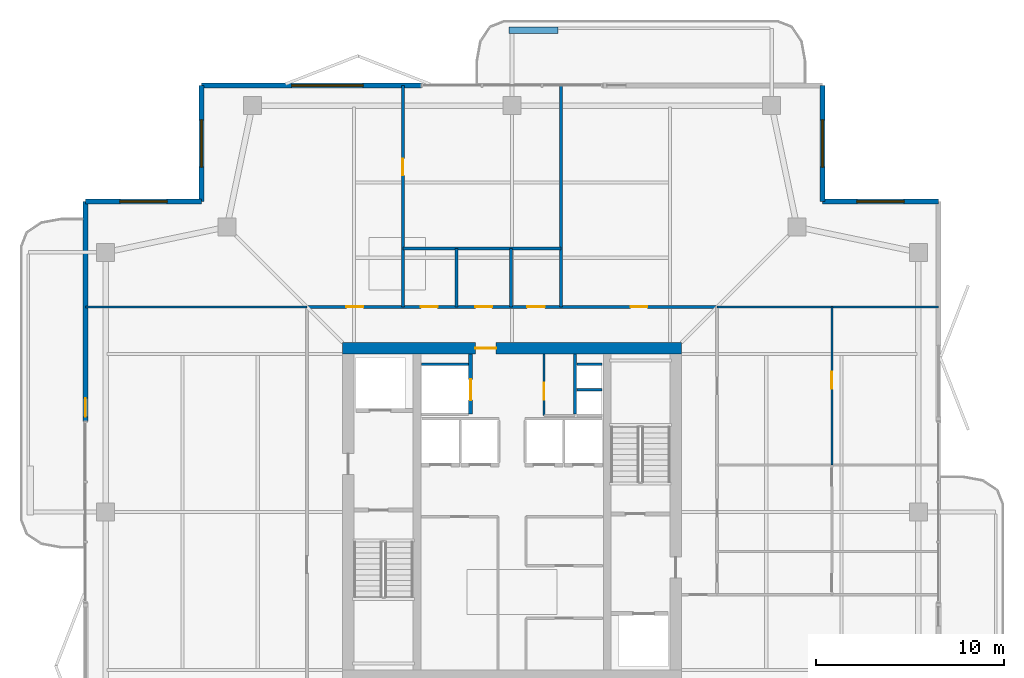
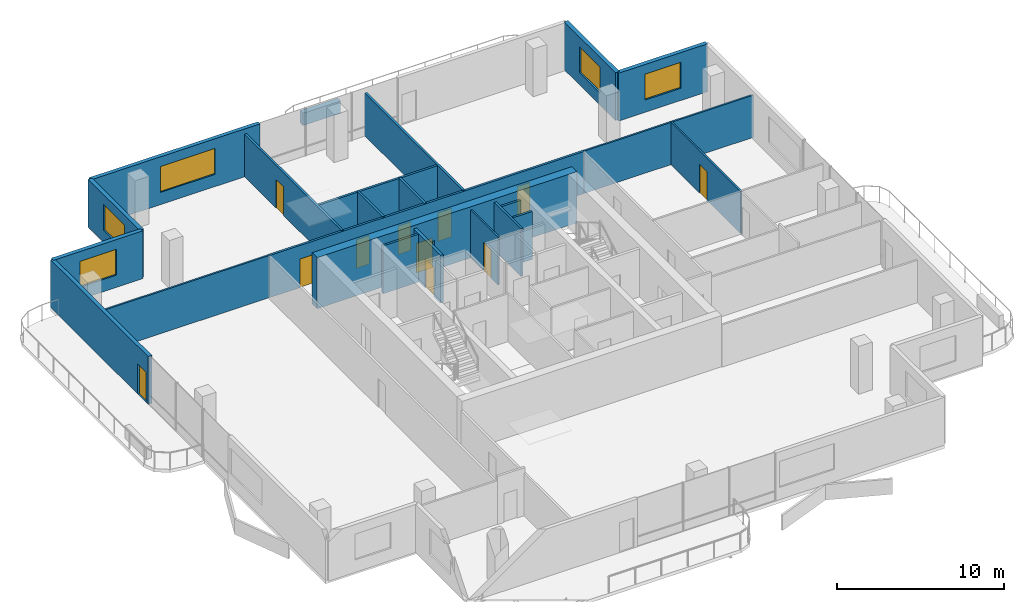
# One storey, part 14 of 17: 23 walls, 11 doors, 5 windows, 16 openings.
"""IFC4 building model written with IfcOpenShell, lengths in metres."""

from ifc_helpers import new_model, si_unit, direction, frame, frame_2d, origin, place, context, subcontext, project, spatial, rectangle, extrude, material, layer, layer_set, type_object, element, fill, save


model = new_model("IFC4")

# Units and contexts
model_context = context("Model", 3, precision=1e-05, world=origin(), true_north=direction((0.0, 1.0)))
body_context = subcontext(model_context, "Body", "Model", "MODEL_VIEW")
ifc_project = project(units=[si_unit("LENGTHUNIT", "METRE"), si_unit("AREAUNIT", "SQUARE_METRE"), si_unit("VOLUMEUNIT", "CUBIC_METRE"), si_unit("PLANEANGLEUNIT", "RADIAN"), si_unit("MASSUNIT", "GRAM", prefix="KILO")], contexts=[model_context])

# Site, building, storey
site_placement = place(None, origin())
site = spatial("IfcSite", under=ifc_project, at=site_placement, CompositionType="ELEMENT")
building_placement = place(site_placement, origin())
building = spatial("IfcBuilding", under=site, at=building_placement, Name="Belovzor Exchange Tower", CompositionType="ELEMENT")
storey_placement = place(building_placement, frame((0.0, 0.0, 303.0)))
storey = spatial("IfcBuildingStorey", under=building, at=storey_placement, Name="L75", CompositionType="ELEMENT", Elevation=303.0)

# Wall, opening, door
ifc_material_1 = material(Name="Acoustic Plasterboard on Galvanised Studs", Category="gypsum")
ifc_layer_1 = layer(ifc_material_1, 0.1201171875)
ifc_layer_set_1 = layer_set([ifc_layer_1], Name="Acoustic Plasterboard on Galvanised Studs")
wall_type_1 = type_object("IfcWallType", Name="Acoustic Double-Stud Partition Wall 120", PredefinedType="PARTITIONING", material=ifc_layer_set_1)
wall_1_placement = place(storey_placement, frame((45.802978515625, 31.294921875, 0.0), z_axis=(0.0, 0.0, 1.0), x_axis=(0.0, 1.0, 0.0)))
wall_1 = element("IfcWall", 1, at=wall_1_placement, inside=storey, type_object=wall_type_1, Name="W-P120 Partition Wall W-L75-EHDIV-2", PredefinedType="PARTITIONING", context=body_context, shape_type="SweptSolid", body=[
    extrude(rectangle(XDim=8.405029296875, YDim=0.1201171875, at=frame_2d((4.20263671875, 0.0))), origin(), (0.0, 0.0, 1.0), 3.094970703125),
])
opening_1_placement = place(wall_1_placement, frame((4.049072265625, 0.0, 0.0)))
opening_1 = element("IfcOpeningElement", 2, at=opening_1_placement, cuts=wall_1, Name="Opening D-INT-090", PredefinedType="OPENING", context=body_context, shape_type="SweptSolid", body=[
    extrude(rectangle(XDim=0.89990234375, YDim=2.10009765625, at=frame_2d((0.449951171875, 1.050048828125))), frame((0.0, 0.070068359375, 0.0), z_axis=(0.0, -1.0, 0.0), x_axis=(1.0, 0.0, 0.0)), (0.0, 0.0, 1.0), 0.14013671875),
])
ifc_material_2 = material(Name="Veneered Hardwood Acoustic Leaf", Category="wood")
door_type_1 = type_object("IfcDoorType", Name="Trading Suite Acoustic Single Door 900x2100", OperationType="NOTDEFINED", PredefinedType="DOOR", material=ifc_material_2)
door_1_placement = place(opening_1_placement, origin())
door_1 = element("IfcDoor", 3, at=door_1_placement, inside=storey, type_object=door_type_1, Name="D-INT-090 Trading Suite Acoustic Single Door 900x2100", OperationType="SINGLE_SWING_RIGHT", OverallHeight=2.10009765625, OverallWidth=0.89990234375, PredefinedType="DOOR", context=body_context, shape_type="SweptSolid", body=[
    extrude(rectangle(XDim=0.89990234375, YDim=2.10009765625, at=frame_2d((0.449951171875, 1.050048828125))), frame((0.0, 0.02490234375, 0.0), z_axis=(0.0, -1.0, 0.0), x_axis=(1.0, 0.0, 0.0)), (0.0, 0.0, 1.0), 0.050048828125),
])
fill(opening_1, door_1)

# Walls
for number, where, z_axis, x_axis, name in (
    (4, (6.1298828125, 39.699951171875, 0.0), (0.0, 0.0, 1.0), (1.0, 0.0, 0.0), "W-P120 Partition Wall W-L75-END-NW"),
    (5, (39.699951171875, 39.699951171875, 0.0), (0.0, 0.0, 1.0), (1.0, 0.0, 0.0), "W-P120 Partition Wall W-L75-END-NE"),
):
    element("IfcWall", number, at=place(storey_placement, frame(where, z_axis=z_axis, x_axis=x_axis)), inside=storey, type_object=wall_type_1, Name=name, PredefinedType="PARTITIONING", context=body_context, shape_type="SweptSolid", body=[
        extrude(rectangle(XDim=11.77001953125, YDim=0.1201171875, at=frame_2d((5.885009765625, 0.0))), origin(), (0.0, 0.0, 1.0), 3.094970703125),
    ])

# Wall, opening, door
ifc_material_3 = material(Name="Fire-Rated Plasterboard on Galvanised Studs", Category="gypsum")
ifc_layer_2 = layer(ifc_material_3, 0.1201171875)
ifc_layer_set_2 = layer_set([ifc_layer_2], Name="Fire-Rated Plasterboard on Galvanised Studs")
wall_type_2 = type_object("IfcWallType", Name="Fire-Rated Double-Stud Partition Wall 120", PredefinedType="PARTITIONING", material=ifc_layer_set_2)
wall_2_placement = place(storey_placement, frame((30.5, 33.925048828125, 0.0), z_axis=(0.0, 0.0, 1.0), x_axis=(0.0, 1.0, 0.0)))
wall_2 = element("IfcWall", 6, at=wall_2_placement, inside=storey, type_object=wall_type_2, Name="W-P120F Partition Wall W-CRV-L75-W", PredefinedType="PARTITIONING", context=body_context, shape_type="SweptSolid", body=[
    extrude(rectangle(XDim=3.27490234375, YDim=0.1201171875, at=frame_2d((1.637451171875, 0.0))), origin(), (0.0, 0.0, 1.0), 3.510009765625),
])
opening_2_placement = place(wall_2_placement, frame((0.85009765625, 0.0, 0.0)))
opening_2 = element("IfcOpeningElement", 7, at=opening_2_placement, cuts=wall_2, Name="Opening D-FD60-090", PredefinedType="OPENING", context=body_context, shape_type="SweptSolid", body=[
    extrude(rectangle(XDim=0.89990234375, YDim=2.10009765625, at=frame_2d((0.449951171875, 1.050048828125))), frame((0.0, 0.070068359375, 0.0), z_axis=(0.0, -1.0, 0.0), x_axis=(1.0, 0.0, 0.0)), (0.0, 0.0, 1.0), 0.14013671875),
])
ifc_material_4 = material(Name="Acoustic Timber Fire Leaf", Category="wood")
door_type_2 = type_object("IfcDoorType", Name="Core Service & Restroom Fire Door 900x2100", OperationType="NOTDEFINED", PredefinedType="DOOR", material=ifc_material_4)
door_2_placement = place(opening_2_placement, origin())
door_2 = element("IfcDoor", 8, at=door_2_placement, inside=storey, type_object=door_type_2, Name="D-FD60-090 Core Service & Restroom Fire Door 900x2100", OperationType="SINGLE_SWING_LEFT", OverallHeight=2.10009765625, OverallWidth=0.89990234375, PredefinedType="DOOR", context=body_context, shape_type="SweptSolid", body=[
    extrude(rectangle(XDim=0.89990234375, YDim=2.10009765625, at=frame_2d((0.449951171875, 1.050048828125))), frame((0.0, 0.02490234375, 0.0), z_axis=(0.0, -1.0, 0.0), x_axis=(1.0, 0.0, 0.0)), (0.0, 0.0, 1.0), 0.050048828125),
])
fill(opening_2, door_2)

# Wall
ifc_material_5 = material(Name="Fire-Rated Gypsum Block and Mineral Wool", Category="gypsum")
ifc_layer_3 = layer(ifc_material_5, 0.14990234375)
ifc_layer_set_3 = layer_set([ifc_layer_3], Name="Fire-Rated Gypsum Block and Mineral Wool")
wall_type_3 = type_object("IfcWallType", Name="Fire-Rated Gypsum Block Corridor Wall 150", PredefinedType="PARTITIONING", material=ifc_layer_set_3)
wall_3_placement = place(storey_placement, frame((23.0, 42.800048828125, 0.0), z_axis=(0.0, 0.0, 1.0), x_axis=(1.0, 0.0, 0.0)))
element("IfcWall", 9, at=wall_3_placement, inside=storey, type_object=wall_type_3, Name="W-P150 Partition Wall W-L75-WCN", PredefinedType="PARTITIONING", context=body_context, shape_type="SweptSolid", body=[
    extrude(rectangle(XDim=8.39990234375, YDim=0.14990234375, at=frame_2d((4.199951171875, 0.0))), origin(), (0.0, 0.0, 1.0), 3.094970703125),
])

# Wall, opening, door
wall_4_placement = place(storey_placement, frame((23.0, 39.699951171875, 0.0), z_axis=(0.0, 0.0, 1.0), x_axis=(0.0, 1.0, 0.0)))
wall_4 = element("IfcWall", 10, at=wall_4_placement, inside=storey, type_object=wall_type_3, Name="W-P150 Partition Wall W-L75-WCW", PredefinedType="PARTITIONING", context=body_context, shape_type="SweptSolid", body=[
    extrude(rectangle(XDim=11.77001953125, YDim=0.14990234375, at=frame_2d((5.885009765625, 0.0))), origin(), (0.0, 0.0, 1.0), 3.135009765625),
])
opening_3_placement = place(wall_4_placement, frame((6.985107421875, 0.0, 0.0)))
opening_3 = element("IfcOpeningElement", 11, at=opening_3_placement, cuts=wall_4, Name="Opening D-INT-090", PredefinedType="OPENING", context=body_context, shape_type="SweptSolid", body=[
    extrude(rectangle(XDim=0.89990234375, YDim=2.10009765625, at=frame_2d((0.449951171875, 1.050048828125))), frame((0.0, 0.0849609375, 0.0), z_axis=(0.0, -1.0, 0.0), x_axis=(1.0, 0.0, 0.0)), (0.0, 0.0, 1.0), 0.169921875),
])
door_3_placement = place(opening_3_placement, origin())
door_3 = element("IfcDoor", 12, at=door_3_placement, inside=storey, type_object=door_type_1, Name="D-INT-090 Trading Suite Acoustic Single Door 900x2100", OperationType="SINGLE_SWING_LEFT", OverallHeight=2.10009765625, OverallWidth=0.89990234375, PredefinedType="DOOR", context=body_context, shape_type="SweptSolid", body=[
    extrude(rectangle(XDim=0.89990234375, YDim=2.10009765625, at=frame_2d((0.449951171875, 1.050048828125))), frame((0.0, 0.02490234375, 0.0), z_axis=(0.0, -1.0, 0.0), x_axis=(1.0, 0.0, 0.0)), (0.0, 0.0, 1.0), 0.050048828125),
])
fill(opening_3, door_3)

# Walls
wall_5_placement = place(storey_placement, frame((31.39990234375, 39.699951171875, 0.0), z_axis=(0.0, 0.0, 1.0), x_axis=(0.0, 1.0, 0.0)))
element("IfcWall", 13, at=wall_5_placement, inside=storey, type_object=wall_type_3, Name="W-P150 Partition Wall W-L75-WCE", PredefinedType="PARTITIONING", context=body_context, shape_type="SweptSolid", body=[
    extrude(rectangle(XDim=11.77001953125, YDim=0.14990234375, at=frame_2d((5.885009765625, 0.0))), origin(), (0.0, 0.0, 1.0), 3.135009765625),
])
wall_6_placement = place(storey_placement, frame((25.85009765625, 39.699951171875, 0.0), z_axis=(0.0, 0.0, 1.0), x_axis=(0.0, 1.0, 0.0)))
element("IfcWall", 14, at=wall_6_placement, inside=storey, type_object=wall_type_3, Name="W-P150 Partition Wall W-L75-WCD1", PredefinedType="PARTITIONING", context=body_context, shape_type="SweptSolid", body=[
    extrude(rectangle(XDim=3.10009765625, YDim=0.14990234375, at=frame_2d((1.550048828125, 0.0))), origin(), (0.0, 0.0, 1.0), 3.135009765625),
])
wall_7_placement = place(storey_placement, frame((28.75, 39.699951171875, 0.0), z_axis=(0.0, 0.0, 1.0), x_axis=(0.0, 1.0, 0.0)))
element("IfcWall", 15, at=wall_7_placement, inside=storey, type_object=wall_type_3, Name="W-P150 Partition Wall W-L75-WCD2", PredefinedType="PARTITIONING", context=body_context, shape_type="SweptSolid", body=[
    extrude(rectangle(XDim=3.10009765625, YDim=0.14990234375, at=frame_2d((1.550048828125, 0.0))), origin(), (0.0, 0.0, 1.0), 3.094970703125),
])

# Wall, openings, doors
wall_8_placement = place(storey_placement, frame((17.89990234375, 39.699951171875, 0.0), z_axis=(0.0, 0.0, 1.0), x_axis=(1.0, 0.0, 0.0)))
wall_8 = element("IfcWall", 16, at=wall_8_placement, inside=storey, type_object=wall_type_3, Name="W-P150 Partition Wall W-L75-CN", PredefinedType="PARTITIONING", context=body_context, shape_type="SweptSolid", body=[
    extrude(rectangle(XDim=21.800048828125, YDim=0.14990234375, at=frame_2d((10.89990234375, 0.0))), origin(), (0.0, 0.0, 1.0), 3.094970703125),
])
opening_4_placement = place(wall_8_placement, frame((2.10009765625, 0.0, 0.0)))
opening_4 = element("IfcOpeningElement", 17, at=opening_4_placement, cuts=wall_8, Name="Opening D-INT-090", PredefinedType="OPENING", context=body_context, shape_type="SweptSolid", body=[
    extrude(rectangle(XDim=0.89990234375, YDim=2.10009765625, at=frame_2d((0.449951171875, 1.050048828125))), frame((0.0, 0.0849609375, 0.0), z_axis=(0.0, -1.0, 0.0), x_axis=(1.0, 0.0, 0.0)), (0.0, 0.0, 1.0), 0.169921875),
])
opening_5_placement = place(wall_8_placement, frame((6.050048828125, 0.0, 0.0)))
opening_5 = element("IfcOpeningElement", 18, at=opening_5_placement, cuts=wall_8, Name="Opening D-FD60-090", PredefinedType="OPENING", context=body_context, shape_type="SweptSolid", body=[
    extrude(rectangle(XDim=0.89990234375, YDim=2.10009765625, at=frame_2d((0.449951171875, 1.050048828125))), frame((0.0, 0.0849609375, 0.0), z_axis=(0.0, -1.0, 0.0), x_axis=(1.0, 0.0, 0.0)), (0.0, 0.0, 1.0), 0.169921875),
])
opening_6_placement = place(wall_8_placement, frame((8.949951171875, 0.0, 0.0)))
opening_6 = element("IfcOpeningElement", 19, at=opening_6_placement, cuts=wall_8, Name="Opening D-FD60-090", PredefinedType="OPENING", context=body_context, shape_type="SweptSolid", body=[
    extrude(rectangle(XDim=0.89990234375, YDim=2.10009765625, at=frame_2d((0.449951171875, 1.050048828125))), frame((0.0, 0.0849609375, 0.0), z_axis=(0.0, -1.0, 0.0), x_axis=(1.0, 0.0, 0.0)), (0.0, 0.0, 1.0), 0.169921875),
])
opening_7_placement = place(wall_8_placement, frame((11.699951171875, 0.0, 0.0)))
opening_7 = element("IfcOpeningElement", 20, at=opening_7_placement, cuts=wall_8, Name="Opening D-FD60-095", PredefinedType="OPENING", context=body_context, shape_type="SweptSolid", body=[
    extrude(rectangle(XDim=0.949951171875, YDim=2.10009765625, at=frame_2d((0.47509765625, 1.050048828125))), frame((0.0, 0.0849609375, 0.0), z_axis=(0.0, -1.0, 0.0), x_axis=(1.0, 0.0, 0.0)), (0.0, 0.0, 1.0), 0.169921875),
])
opening_8_placement = place(wall_8_placement, frame((17.199951171875, 0.0, 0.0)))
opening_8 = element("IfcOpeningElement", 21, at=opening_8_placement, cuts=wall_8, Name="Opening D-INT-090", PredefinedType="OPENING", context=body_context, shape_type="SweptSolid", body=[
    extrude(rectangle(XDim=0.89990234375, YDim=2.10009765625, at=frame_2d((0.449951171875, 1.050048828125))), frame((0.0, 0.0849609375, 0.0), z_axis=(0.0, -1.0, 0.0), x_axis=(1.0, 0.0, 0.0)), (0.0, 0.0, 1.0), 0.169921875),
])
ifc_material_6 = material(Name="Moisture-Resistant Timber Fire Leaf", Category="wood")
door_type_3 = type_object("IfcDoorType", Name="Accessible Restroom Wide Fire Door 950x2100", OperationType="NOTDEFINED", PredefinedType="DOOR", material=ifc_material_6)
door_4_placement = place(opening_7_placement, origin())
door_4 = element("IfcDoor", 22, at=door_4_placement, inside=storey, type_object=door_type_3, Name="D-FD60-095 Accessible Restroom Wide Fire Door 950x2100", OperationType="SINGLE_SWING_LEFT", OverallHeight=2.10009765625, OverallWidth=0.949951171875, PredefinedType="DOOR", context=body_context, shape_type="SweptSolid", body=[
    extrude(rectangle(XDim=0.949951171875, YDim=2.10009765625, at=frame_2d((0.47509765625, 1.050048828125))), frame((0.0, 0.02490234375, 0.0), z_axis=(0.0, -1.0, 0.0), x_axis=(1.0, 0.0, 0.0)), (0.0, 0.0, 1.0), 0.050048828125),
])
fill(opening_7, door_4)
door_5_placement = place(opening_5_placement, origin())
door_5 = element("IfcDoor", 23, at=door_5_placement, inside=storey, type_object=door_type_2, Name="D-FD60-090 Core Service & Restroom Fire Door 900x2100", OperationType="SINGLE_SWING_LEFT", OverallHeight=2.10009765625, OverallWidth=0.89990234375, PredefinedType="DOOR", context=body_context, shape_type="SweptSolid", body=[
    extrude(rectangle(XDim=0.89990234375, YDim=2.10009765625, at=frame_2d((0.449951171875, 1.050048828125))), frame((0.0, 0.02490234375, 0.0), z_axis=(0.0, -1.0, 0.0), x_axis=(1.0, 0.0, 0.0)), (0.0, 0.0, 1.0), 0.050048828125),
])
fill(opening_5, door_5)
door_6_placement = place(opening_6_placement, origin())
door_6 = element("IfcDoor", 24, at=door_6_placement, inside=storey, type_object=door_type_2, Name="D-FD60-090 Core Service & Restroom Fire Door 900x2100", OperationType="SINGLE_SWING_RIGHT", OverallHeight=2.10009765625, OverallWidth=0.89990234375, PredefinedType="DOOR", context=body_context, shape_type="SweptSolid", body=[
    extrude(rectangle(XDim=0.89990234375, YDim=2.10009765625, at=frame_2d((0.449951171875, 1.050048828125))), frame((0.0, 0.02490234375, 0.0), z_axis=(0.0, -1.0, 0.0), x_axis=(1.0, 0.0, 0.0)), (0.0, 0.0, 1.0), 0.050048828125),
])
fill(opening_6, door_6)
door_7_placement = place(opening_4_placement, origin())
door_7 = element("IfcDoor", 25, at=door_7_placement, inside=storey, type_object=door_type_1, Name="D-INT-090 Trading Suite Acoustic Single Door 900x2100", OperationType="SINGLE_SWING_LEFT", OverallHeight=2.10009765625, OverallWidth=0.89990234375, PredefinedType="DOOR", context=body_context, shape_type="SweptSolid", body=[
    extrude(rectangle(XDim=0.89990234375, YDim=2.10009765625, at=frame_2d((0.449951171875, 1.050048828125))), frame((0.0, 0.02490234375, 0.0), z_axis=(0.0, -1.0, 0.0), x_axis=(1.0, 0.0, 0.0)), (0.0, 0.0, 1.0), 0.050048828125),
])
fill(opening_4, door_7)
door_8_placement = place(opening_8_placement, origin())
door_8 = element("IfcDoor", 26, at=door_8_placement, inside=storey, type_object=door_type_1, Name="D-INT-090 Trading Suite Acoustic Single Door 900x2100", OperationType="SINGLE_SWING_RIGHT", OverallHeight=2.10009765625, OverallWidth=0.89990234375, PredefinedType="DOOR", context=body_context, shape_type="SweptSolid", body=[
    extrude(rectangle(XDim=0.89990234375, YDim=2.10009765625, at=frame_2d((0.449951171875, 1.050048828125))), frame((0.0, 0.02490234375, 0.0), z_axis=(0.0, -1.0, 0.0), x_axis=(1.0, 0.0, 0.0)), (0.0, 0.0, 1.0), 0.050048828125),
])
fill(opening_8, door_8)

# Wall, opening, window
ifc_material_7 = material(Name="Precast concrete C40/50", Category="concrete")
ifc_layer_4 = layer(ifc_material_7, 0.280029296875)
ifc_layer_set_4 = layer_set([ifc_layer_4], Name="Precast concrete C40/50")
wall_type_4 = type_object("IfcWallType", Name="Precast Concrete Notched Corner Frame Wall 280", PredefinedType="SOLIDWALL", material=ifc_layer_set_4)
wall_9_placement = place(storey_placement, frame((6.1298828125, 45.300048828125, 0.0), z_axis=(0.0, 0.0, 1.0), x_axis=(1.0, 0.0, 0.0)))
wall_9 = element("IfcWall", 27, at=wall_9_placement, inside=storey, type_object=wall_type_4, Name="W-CRN280 Precast Concrete Notched Corner Frame Wall 280 L75", PredefinedType="SOLIDWALL", context=body_context, shape_type="SweptSolid", body=[
    extrude(rectangle(XDim=6.170166015625, YDim=0.280029296875, at=frame_2d((3.0849609375, 0.0))), origin(), (0.0, 0.0, 1.0), 3.510009765625),
])
opening_9_placement = place(wall_9_placement, frame((1.8349609375, 0.0, 0.89990234375)))
opening_9 = element("IfcOpeningElement", 28, at=opening_9_placement, cuts=wall_9, Name="Opening WN-CRN250", PredefinedType="OPENING", context=body_context, shape_type="SweptSolid", body=[
    extrude(rectangle(XDim=2.5, YDim=1.89990234375, at=frame_2d((1.25, 0.949951171875))), frame((0.0, 0.14990234375, 0.0), z_axis=(0.0, -1.0, 0.0), x_axis=(1.0, 0.0, 0.0)), (0.0, 0.0, 1.0), 0.300048828125),
])
ifc_material_8 = material(Name="Thermally Broken Aluminium and Triple Glazing", Category="aluminium")
window_type_1 = type_object("IfcWindowType", Name="Streamline Moderne Corner Wrap Ribbon Window 2500x1900", PartitioningType="SINGLE_PANEL", PredefinedType="WINDOW", material=ifc_material_8)
window_1_placement = place(opening_9_placement, origin())
window_1 = element("IfcWindow", 29, at=window_1_placement, inside=storey, type_object=window_type_1, Name="WN-CRN250 Streamline Moderne Corner Wrap Ribbon Window 2500x1900", OverallHeight=1.89990234375, OverallWidth=2.5, PartitioningType="SINGLE_PANEL", PredefinedType="WINDOW", context=body_context, shape_type="SweptSolid", body=[
    extrude(rectangle(XDim=2.5, YDim=1.89990234375, at=frame_2d((1.25, 0.949951171875))), frame((0.0, 0.030029296875, 0.0), z_axis=(0.0, -1.0, 0.0), x_axis=(1.0, 0.0, 0.0)), (0.0, 0.0, 1.0), 0.06005859375),
])
fill(opening_9, window_1)

wall_10_placement = place(storey_placement, frame((12.300048828125, 45.300048828125, 0.0), z_axis=(0.0, 0.0, 1.0), x_axis=(0.0, 1.0, 0.0)))
wall_10 = element("IfcWall", 30, at=wall_10_placement, inside=storey, type_object=wall_type_4, Name="W-CRN280 Precast Concrete Notched Corner Frame Wall 280 L75", PredefinedType="SOLIDWALL", context=body_context, shape_type="SweptSolid", body=[
    extrude(rectangle(XDim=6.169921875, YDim=0.280029296875, at=frame_2d((3.0849609375, 0.0))), origin(), (0.0, 0.0, 1.0), 3.510009765625),
])
opening_10_placement = place(wall_10_placement, frame((1.8349609375, 0.0, 0.89990234375)))
opening_10 = element("IfcOpeningElement", 31, at=opening_10_placement, cuts=wall_10, Name="Opening WN-CRN250", PredefinedType="OPENING", context=body_context, shape_type="SweptSolid", body=[
    extrude(rectangle(XDim=2.5, YDim=1.89990234375, at=frame_2d((1.25, 0.949951171875))), frame((0.0, 0.14990234375, 0.0), z_axis=(0.0, -1.0, 0.0), x_axis=(1.0, 0.0, 0.0)), (0.0, 0.0, 1.0), 0.300048828125),
])
window_2_placement = place(opening_10_placement, origin())
window_2 = element("IfcWindow", 32, at=window_2_placement, inside=storey, type_object=window_type_1, Name="WN-CRN250 Streamline Moderne Corner Wrap Ribbon Window 2500x1900", OverallHeight=1.89990234375, OverallWidth=2.5, PartitioningType="SINGLE_PANEL", PredefinedType="WINDOW", context=body_context, shape_type="SweptSolid", body=[
    extrude(rectangle(XDim=2.5, YDim=1.89990234375, at=frame_2d((1.25, 0.949951171875))), frame((0.0, 0.030029296875, 0.0), z_axis=(0.0, -1.0, 0.0), x_axis=(1.0, 0.0, 0.0)), (0.0, 0.0, 1.0), 0.06005859375),
])
fill(opening_10, window_2)

wall_11_placement = place(storey_placement, frame((45.300048828125, 51.469970703125, 0.0), z_axis=(0.0, 0.0, 1.0), x_axis=(0.0, -1.0, 0.0)))
wall_11 = element("IfcWall", 33, at=wall_11_placement, inside=storey, type_object=wall_type_4, Name="W-CRN280 Precast Concrete Notched Corner Frame Wall 280 L75", PredefinedType="SOLIDWALL", context=body_context, shape_type="SweptSolid", body=[
    extrude(rectangle(XDim=6.169921875, YDim=0.280029296875, at=frame_2d((3.0849609375, 0.0))), origin(), (0.0, 0.0, 1.0), 3.510009765625),
])
opening_11_placement = place(wall_11_placement, frame((1.8349609375, 0.0, 0.89990234375)))
opening_11 = element("IfcOpeningElement", 34, at=opening_11_placement, cuts=wall_11, Name="Opening WN-CRN250", PredefinedType="OPENING", context=body_context, shape_type="SweptSolid", body=[
    extrude(rectangle(XDim=2.5, YDim=1.89990234375, at=frame_2d((1.25, 0.949951171875))), frame((0.0, 0.14990234375, 0.0), z_axis=(0.0, -1.0, 0.0), x_axis=(1.0, 0.0, 0.0)), (0.0, 0.0, 1.0), 0.300048828125),
])
window_3_placement = place(opening_11_placement, origin())
window_3 = element("IfcWindow", 35, at=window_3_placement, inside=storey, type_object=window_type_1, Name="WN-CRN250 Streamline Moderne Corner Wrap Ribbon Window 2500x1900", OverallHeight=1.89990234375, OverallWidth=2.5, PartitioningType="SINGLE_PANEL", PredefinedType="WINDOW", context=body_context, shape_type="SweptSolid", body=[
    extrude(rectangle(XDim=2.5, YDim=1.89990234375, at=frame_2d((1.25, 0.949951171875))), frame((0.0, 0.030029296875, 0.0), z_axis=(0.0, -1.0, 0.0), x_axis=(1.0, 0.0, 0.0)), (0.0, 0.0, 1.0), 0.06005859375),
])
fill(opening_11, window_3)

wall_12_placement = place(storey_placement, frame((45.300048828125, 45.300048828125, 0.0), z_axis=(0.0, 0.0, 1.0), x_axis=(1.0, 0.0, 0.0)))
wall_12 = element("IfcWall", 36, at=wall_12_placement, inside=storey, type_object=wall_type_4, Name="W-CRN280 Precast Concrete Notched Corner Frame Wall 280 L75", PredefinedType="SOLIDWALL", context=body_context, shape_type="SweptSolid", body=[
    extrude(rectangle(XDim=6.169921875, YDim=0.280029296875, at=frame_2d((3.0849609375, 0.0))), origin(), (0.0, 0.0, 1.0), 3.510009765625),
])
opening_12_placement = place(wall_12_placement, frame((1.8349609375, 0.0, 0.89990234375)))
opening_12 = element("IfcOpeningElement", 37, at=opening_12_placement, cuts=wall_12, Name="Opening WN-CRN250", PredefinedType="OPENING", context=body_context, shape_type="SweptSolid", body=[
    extrude(rectangle(XDim=2.5, YDim=1.89990234375, at=frame_2d((1.25, 0.949951171875))), frame((0.0, 0.14990234375, 0.0), z_axis=(0.0, -1.0, 0.0), x_axis=(1.0, 0.0, 0.0)), (0.0, 0.0, 1.0), 0.300048828125),
])
window_4_placement = place(opening_12_placement, origin())
window_4 = element("IfcWindow", 38, at=window_4_placement, inside=storey, type_object=window_type_1, Name="WN-CRN250 Streamline Moderne Corner Wrap Ribbon Window 2500x1900", OverallHeight=1.89990234375, OverallWidth=2.5, PartitioningType="SINGLE_PANEL", PredefinedType="WINDOW", context=body_context, shape_type="SweptSolid", body=[
    extrude(rectangle(XDim=2.5, YDim=1.89990234375, at=frame_2d((1.25, 0.949951171875))), frame((0.0, 0.030029296875, 0.0), z_axis=(0.0, -1.0, 0.0), x_axis=(1.0, 0.0, 0.0)), (0.0, 0.0, 1.0), 0.06005859375),
])
fill(opening_12, window_4)

ifc_material_9 = material(Name="Precast concrete C40/50", Category="concrete")
ifc_layer_5 = layer(ifc_material_9, 0.260009765625)
ifc_layer_set_5 = layer_set([ifc_layer_5], Name="Precast concrete C40/50")
wall_type_5 = type_object("IfcWallType", Name="Precast Concrete Perimeter Loggia Frame Wall 260", PredefinedType="SOLIDWALL", material=ifc_layer_set_5)
wall_13_placement = place(storey_placement, frame((12.300048828125, 51.469970703125, 0.0), z_axis=(0.0, 0.0, 1.0), x_axis=(1.0, 0.0, 0.0)))
wall_13 = element("IfcWall", 39, at=wall_13_placement, inside=storey, type_object=wall_type_5, Name="W-EXT260 Precast Concrete Perimeter Loggia Frame Wall 260 L75", PredefinedType="SOLIDWALL", context=body_context, shape_type="SweptSolid", body=[
    extrude(rectangle(XDim=11.699951171875, YDim=0.260009765625, at=frame_2d((5.85009765625, 0.0))), origin(), (0.0, 0.0, 1.0), 3.510009765625),
])
opening_13_placement = place(wall_13_placement, frame((4.784912109375, 0.0, 0.89990234375)))
opening_13 = element("IfcOpeningElement", 40, at=opening_13_placement, cuts=wall_13, Name="Opening WN-RIB380", PredefinedType="OPENING", context=body_context, shape_type="SweptSolid", body=[
    extrude(rectangle(XDim=3.800048828125, YDim=1.89990234375, at=frame_2d((1.89990234375, 0.949951171875))), frame((0.0, 0.139892578125, 0.0), z_axis=(0.0, -1.0, 0.0), x_axis=(1.0, 0.0, 0.0)), (0.0, 0.0, 1.0), 0.280029296875),
])
ifc_material_10 = material(Name="Thermally Broken Aluminium and Triple Glazing", Category="aluminium")
window_type_2 = type_object("IfcWindowType", Name="Streamline Moderne Horizontal Ribbon Window 3800x1900", PartitioningType="SINGLE_PANEL", PredefinedType="WINDOW", material=ifc_material_10)
window_5_placement = place(opening_13_placement, origin())
window_5 = element("IfcWindow", 41, at=window_5_placement, inside=storey, type_object=window_type_2, Name="WN-RIB380 Streamline Moderne Horizontal Ribbon Window 3800x1900", OverallHeight=1.89990234375, OverallWidth=3.800048828125, PartitioningType="SINGLE_PANEL", PredefinedType="WINDOW", context=body_context, shape_type="SweptSolid", body=[
    extrude(rectangle(XDim=3.800048828125, YDim=1.89990234375, at=frame_2d((1.89990234375, 0.949951171875))), frame((0.0, 0.030029296875, 0.0), z_axis=(0.0, -1.0, 0.0), x_axis=(1.0, 0.0, 0.0)), (0.0, 0.0, 1.0), 0.06005859375),
])
fill(opening_13, window_5)

# Wall, opening, door
wall_14_placement = place(storey_placement, frame((6.1298828125, 33.60009765625, 0.0), z_axis=(0.0, 0.0, 1.0), x_axis=(0.0, 1.0, 0.0)))
wall_14 = element("IfcWall", 42, at=wall_14_placement, inside=storey, type_object=wall_type_5, Name="W-EXT260 Precast Concrete Perimeter Loggia Frame Wall 260 L75", PredefinedType="SOLIDWALL", context=body_context, shape_type="SweptSolid", body=[
    extrude(rectangle(XDim=11.699951171875, YDim=0.260009765625, at=frame_2d((5.85009765625, 0.0))), origin(), (0.0, 0.0, 1.0), 3.510009765625),
])
opening_14_placement = place(wall_14_placement, frame((0.25, 0.0, 0.0)))
opening_14 = element("IfcOpeningElement", 43, at=opening_14_placement, cuts=wall_14, Name="Opening D-BAL100", PredefinedType="OPENING", context=body_context, shape_type="SweptSolid", body=[
    extrude(rectangle(XDim=1.0, YDim=2.199951171875, at=frame_2d((0.5, 1.10009765625))), frame((0.0, 0.139892578125, 0.0), z_axis=(0.0, -1.0, 0.0), x_axis=(1.0, 0.0, 0.0)), (0.0, 0.0, 1.0), 0.280029296875),
])
ifc_material_11 = material(Name="Thermally Broken Anodised Aluminium and Laminated Glass", Category="aluminium")
door_type_4 = type_object("IfcDoorType", Name="Planted Loggia Terrace Glazed Door 1000x2200", OperationType="SINGLE_SWING_LEFT", PredefinedType="DOOR", material=ifc_material_11)
door_9_placement = place(opening_14_placement, origin())
door_9 = element("IfcDoor", 44, at=door_9_placement, inside=storey, type_object=door_type_4, Name="D-BAL100 Balcony Terrace Door L75 W", OperationType="SINGLE_SWING_RIGHT", OverallHeight=2.199951171875, OverallWidth=1.0, PredefinedType="DOOR", context=body_context, shape_type="SweptSolid", body=[
    extrude(rectangle(XDim=1.0, YDim=2.199951171875, at=frame_2d((0.5, 1.10009765625))), frame((0.0, 0.02490234375, 0.0), z_axis=(0.0, -1.0, 0.0), x_axis=(1.0, 0.0, 0.0)), (0.0, 0.0, 1.0), 0.050048828125),
])
fill(opening_14, door_9)

# Walls
ifc_material_12 = material(Name="Precast concrete C40/50", Category="concrete")
ifc_layer_6 = layer(ifc_material_12, 0.35009765625)
ifc_layer_set_6 = layer_set([ifc_layer_6], Name="Precast concrete C40/50")
wall_type_6 = type_object("IfcWallType", Name="Precast Concrete Structural Tree Planter Trough 350", PredefinedType="PARAPET", material=ifc_layer_set_6)
wall_15_placement = place(storey_placement, frame((28.64990234375, 54.39990234375, 0.0), z_axis=(0.0, 0.0, 1.0), x_axis=(1.0, 0.0, 0.0)))
element("IfcWall", 45, at=wall_15_placement, inside=storey, type_object=wall_type_6, Name="PT-350 Precast Concrete Structural Tree Planter Trough 350 L75", PredefinedType="PARAPET", context=body_context, shape_type="SweptSolid", body=[
    extrude(rectangle(XDim=2.60009765625, YDim=0.35009765625, at=frame_2d((1.300048828125, 0.0))), origin(), (0.0, 0.0, 1.0), 0.89990234375),
])
ifc_material_13 = material(Name="Concrete C50/60", Category="concrete")
ifc_layer_7 = layer(ifc_material_13, 0.14990234375)
ifc_layer_set_7 = layer_set([ifc_layer_7], Name="Concrete C50/60")
wall_type_7 = type_object("IfcWallType", Name="Reinforced Concrete Core Riser Shear Wall 150", PredefinedType="SHEAR", material=ifc_layer_set_7)
wall_16_placement = place(storey_placement, frame((32.14990234375, 34.0, 0.0), z_axis=(0.0, 0.0, 1.0), x_axis=(0.0, 1.0, 0.0)))
element("IfcWall", 46, at=wall_16_placement, inside=storey, type_object=wall_type_7, Name="W-C150S Core Shaft Wall W-RSR-L75-E", PredefinedType="SHEAR", context=body_context, shape_type="SweptSolid", body=[
    extrude(rectangle(XDim=3.199951171875, YDim=0.14990234375, at=frame_2d((1.60009765625, 0.0))), origin(), (0.0, 0.0, 1.0), 3.510009765625),
])
wall_17_placement = place(storey_placement, frame((32.25, 35.300048828125, 0.0), z_axis=(0.0, 0.0, 1.0), x_axis=(1.0, 0.0, 0.0)))
element("IfcWall", 47, at=wall_17_placement, inside=storey, type_object=wall_type_7, Name="W-C150S Core Shaft Wall W-RSR-L75-M", PredefinedType="SHEAR", context=body_context, shape_type="SweptSolid", body=[
    extrude(rectangle(XDim=1.330078125, YDim=0.14990234375, at=frame_2d((0.6650390625, 0.0))), origin(), (0.0, 0.0, 1.0), 3.510009765625),
])
wall_18_placement = place(storey_placement, frame((24.0, 36.64990234375, 0.0), z_axis=(0.0, 0.0, 1.0), x_axis=(1.0, 0.0, 0.0)))
element("IfcWall", 48, at=wall_18_placement, inside=storey, type_object=wall_type_7, Name="W-C150S Core Shaft Wall W-SH-L75-SL-01N", PredefinedType="SHEAR", context=body_context, shape_type="SweptSolid", body=[
    extrude(rectangle(XDim=2.47998046875, YDim=0.14990234375, at=frame_2d((1.239990234375, 0.0))), origin(), (0.0, 0.0, 1.0), 3.510009765625),
])
wall_19_placement = place(storey_placement, frame((32.25, 36.64990234375, 0.0), z_axis=(0.0, 0.0, 1.0), x_axis=(1.0, 0.0, 0.0)))
element("IfcWall", 49, at=wall_19_placement, inside=storey, type_object=wall_type_7, Name="W-C150S Core Shaft Wall W-RSR-L75-N", PredefinedType="SHEAR", context=body_context, shape_type="SweptSolid", body=[
    extrude(rectangle(XDim=1.330078125, YDim=0.14990234375, at=frame_2d((0.6650390625, 0.0))), origin(), (0.0, 0.0, 1.0), 3.510009765625),
])

# Wall, opening, door
ifc_material_14 = material(Name="Concrete C50/60", Category="concrete")
ifc_layer_8 = layer(ifc_material_14, 0.199951171875)
ifc_layer_set_8 = layer_set([ifc_layer_8], Name="Concrete C50/60")
wall_type_8 = type_object("IfcWallType", Name="Reinforced Concrete Core Shaft Shear Wall 200", PredefinedType="SHEAR", material=ifc_layer_set_8)
wall_20_placement = place(storey_placement, frame((26.60009765625, 34.0, 0.0), z_axis=(0.0, 0.0, 1.0), x_axis=(0.0, 1.0, 0.0)))
wall_20 = element("IfcWall", 50, at=wall_20_placement, inside=storey, type_object=wall_type_8, Name="W-C200S Core Shaft Wall W-SH-L75-SL-01", PredefinedType="SHEAR", context=body_context, shape_type="SweptSolid", body=[
    extrude(rectangle(XDim=3.199951171875, YDim=0.199951171875, at=frame_2d((1.60009765625, 0.0))), origin(), (0.0, 0.0, 1.0), 3.510009765625),
])
opening_15_placement = place(wall_20_placement, frame((0.75, 0.0, 0.0)))
opening_15 = element("IfcOpeningElement", 51, at=opening_15_placement, cuts=wall_20, Name="Opening LD-110", PredefinedType="OPENING", context=body_context, shape_type="SweptSolid", body=[
    extrude(rectangle(XDim=1.10009765625, YDim=2.14990234375, at=frame_2d((0.550048828125, 1.074951171875))), frame((0.0, 0.10986328125, 0.0), z_axis=(0.0, -1.0, 0.0), x_axis=(1.0, 0.0, 0.0)), (0.0, 0.0, 1.0), 0.219970703125),
])
ifc_material_15 = material(Name="Stainless Steel Grade 304", Category="steel")
door_type_5 = type_object("IfcDoorType", Name="Automated Stainless Steel Lift Landing Door 1100x2150", OperationType="SLIDING_TO_RIGHT", PredefinedType="DOOR", material=ifc_material_15)
door_10_placement = place(opening_15_placement, origin())
door_10 = element("IfcDoor", 52, at=door_10_placement, inside=storey, type_object=door_type_5, Name="LD-110 Automated Stainless Steel Lift Landing Door 1100x2150", OperationType="SLIDING_TO_RIGHT", OverallHeight=2.14990234375, OverallWidth=1.10009765625, PredefinedType="DOOR", context=body_context, shape_type="SweptSolid", body=[
    extrude(rectangle(XDim=1.10009765625, YDim=2.14990234375, at=frame_2d((0.550048828125, 1.074951171875))), frame((0.0, 0.02490234375, 0.0), z_axis=(0.0, -1.0, 0.0), x_axis=(1.0, 0.0, 0.0)), (0.0, 0.0, 1.0), 0.050048828125),
])
fill(opening_15, door_10)

ifc_material_16 = material(Name="Concrete C50/60", Category="concrete")
ifc_layer_9 = layer(ifc_material_16, 0.60009765625)
ifc_layer_set_9 = layer_set([ifc_layer_9], Name="Concrete C50/60")
wall_type_9 = type_object("IfcWallType", Name="Reinforced Concrete Core Shear Wall 600", PredefinedType="SHEAR", material=ifc_layer_set_9)
wall_21_placement = place(storey_placement, frame((19.800048828125, 37.5, 0.0), z_axis=(0.0, 0.0, 1.0), x_axis=(1.0, 0.0, 0.0)))
wall_21 = element("IfcWall", 53, at=wall_21_placement, inside=storey, type_object=wall_type_9, Name="CW-S060 Core Shear Wall L75 N", PredefinedType="SHEAR", context=body_context, shape_type="SweptSolid", body=[
    extrude(rectangle(XDim=18.0, YDim=0.60009765625, at=frame_2d((9.0, 0.0))), origin(), (0.0, 0.0, 1.0), 3.75),
])
opening_16_placement = place(wall_21_placement, frame((7.050048828125, 0.0, 0.0)))
opening_16 = element("IfcOpeningElement", 54, at=opening_16_placement, cuts=wall_21, Name="Opening D-FD90-110", PredefinedType="OPENING", context=body_context, shape_type="SweptSolid", body=[
    extrude(rectangle(XDim=1.10009765625, YDim=2.14990234375, at=frame_2d((0.550048828125, 1.074951171875))), frame((0.0, 0.31005859375, 0.0), z_axis=(0.0, -1.0, 0.0), x_axis=(1.0, 0.0, 0.0)), (0.0, 0.0, 1.0), 0.6201171875),
])
ifc_material_17 = material(Name="Fire-Rated Galvanised Steel Leaf", Category="steel")
door_type_6 = type_object("IfcDoorType", Name="Protected Escape Vestibule Fire Door 1100x2150", OperationType="NOTDEFINED", PredefinedType="DOOR", material=ifc_material_17)
door_11_placement = place(opening_16_placement, origin())
door_11 = element("IfcDoor", 55, at=door_11_placement, inside=storey, type_object=door_type_6, Name="D-FD90-110 Protected Escape Vestibule Fire Door 1100x2150", OperationType="SINGLE_SWING_LEFT", OverallHeight=2.14990234375, OverallWidth=1.10009765625, PredefinedType="DOOR", context=body_context, shape_type="SweptSolid", body=[
    extrude(rectangle(XDim=1.10009765625, YDim=2.14990234375, at=frame_2d((0.550048828125, 1.074951171875))), frame((0.0, 0.02490234375, 0.0), z_axis=(0.0, -1.0, 0.0), x_axis=(1.0, 0.0, 0.0)), (0.0, 0.0, 1.0), 0.050048828125),
])
fill(opening_16, door_11)

save(model, "model.ifc")
